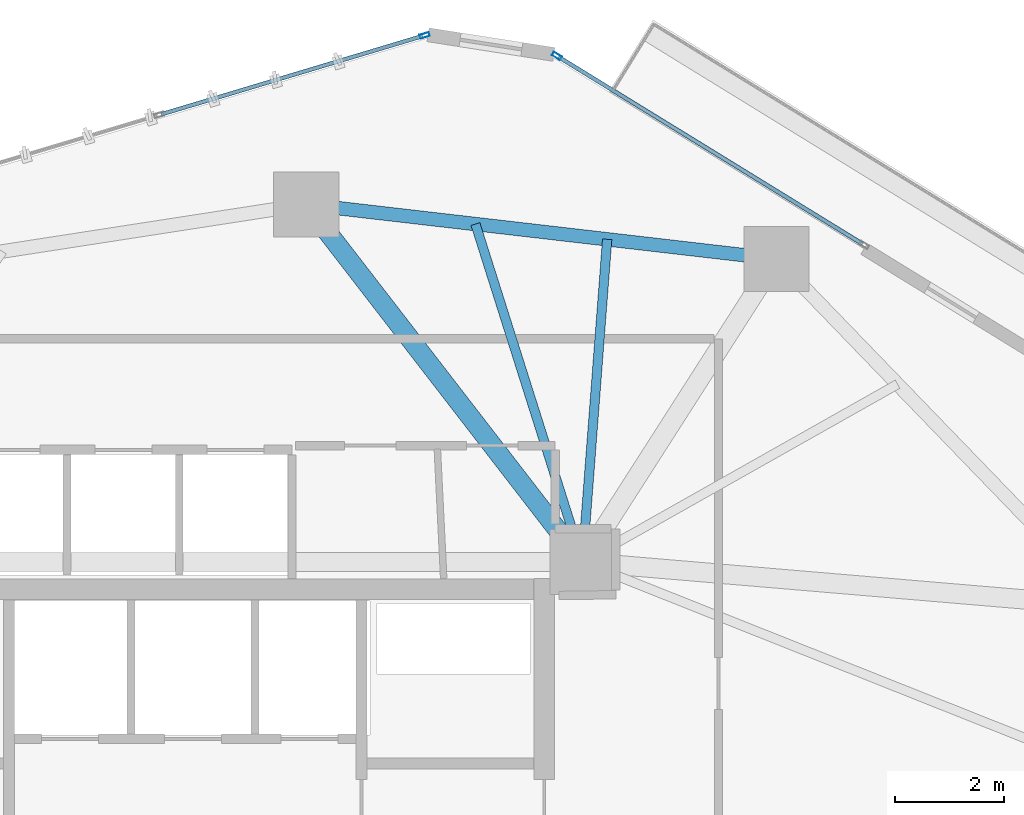
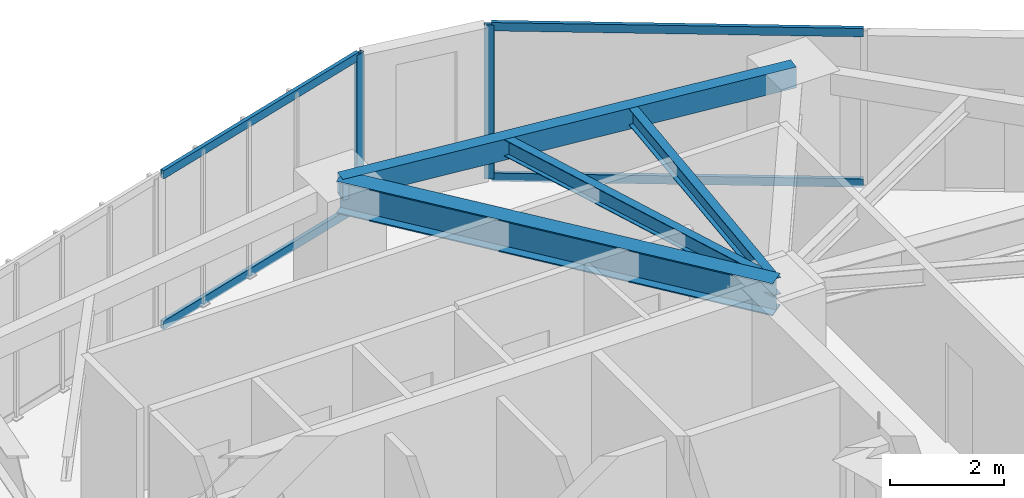
# One storey, part 13 of 21: 6 members, 4 beams, 2 elements without a shape of their own.
"""IFC4 building model written with IfcOpenShell, lengths in metres."""

from ifc_helpers import new_model, si_unit, direction, frame, origin, origin_2d, place, context, subcontext, project, spatial, hollow_rectangle, i_section, extrude, source, transform, mapped, material, layer, layer_set, material_profile, profile_set, type_object, type_shapes, element, aggregate, save


model = new_model("IFC4")

# Units and contexts
model_context = context("Model", 3, precision=1e-05, world=origin(), true_north=direction((0.0, 1.0)))
body_context = subcontext(model_context, "Body", "Model", "MODEL_VIEW")
ifc_project = project(units=[si_unit("LENGTHUNIT", "METRE"), si_unit("AREAUNIT", "SQUARE_METRE"), si_unit("VOLUMEUNIT", "CUBIC_METRE"), si_unit("PLANEANGLEUNIT", "RADIAN"), si_unit("MASSUNIT", "GRAM", prefix="KILO")], contexts=[model_context])

# Site, building, storey
site_placement = place(None, origin())
site = spatial("IfcSite", under=ifc_project, at=site_placement, CompositionType="ELEMENT")
building_placement = place(site_placement, origin())
building = spatial("IfcBuilding", under=site, at=building_placement, Name="Talar Marvaseh", CompositionType="ELEMENT")
storey_placement = place(building_placement, frame((0.0, 0.0, 139.800048828125)))
storey = spatial("IfcBuildingStorey", under=building, at=storey_placement, Name="L36", CompositionType="ELEMENT", Elevation=139.800048828125)

# Beams
ifc_material_1 = material(Name="Steel S355", Category="steel")
ifc_material_profile_1 = material_profile(ifc_material_1, hollow_rectangle(XDim=0.25, YDim=0.449951171875, WallThickness=0.01611328125, at=origin_2d()), Name="RHS450x250x16")
ifc_profile_set_1 = profile_set([ifc_material_profile_1], Name="Steel S355")
beam_type_1 = type_object("IfcBeamType", Name="Zone 2 Perimeter Spandrel Beam RHS450x250x16", PredefinedType="SPANDREL", material=ifc_profile_set_1)
beam_1_placement = place(storey_placement, frame((28.221923828125, 43.471923828125, 3.0849609375), z_axis=(0.993361914569, -0.115030894474, 0.0), x_axis=(0.115030894474, 0.993361914569, 0.0)))
element("IfcBeam", 1, at=beam_1_placement, inside=storey, type_object=beam_type_1, Name="L36 Zone 2 Perimeter Spandrel Beam RHS450x250x16", PredefinedType="SPANDREL", context=body_context, shape_type="SweptSolid", body=[
    extrude(hollow_rectangle(XDim=0.25, YDim=0.449951171875, WallThickness=0.01611328125, at=origin_2d()), origin(), (0.0, 0.0, 1.0), 8.701904296875),
])
ifc_material_profile_2 = material_profile(ifc_material_1, i_section(OverallWidth=0.35498046875, OverallDepth=0.695068359375, WebThickness=0.015380859375, FlangeThickness=0.02490234375, at=origin_2d()), Name="W690x217")
ifc_profile_set_2 = profile_set([ifc_material_profile_2], Name="Steel S355")
beam_type_2 = type_object("IfcBeamType", Name="Zone 2 Radial Floor Girder W690x217", PredefinedType="BEAM", material=ifc_profile_set_2)
beam_2_placement = place(storey_placement, frame((28.221923828125, 43.471923828125, 2.96240234375), z_axis=(0.611428258763, -0.791299870079, 0.0), x_axis=(0.791299870079, 0.611428258763, 0.0)))
element("IfcBeam", 2, at=beam_2_placement, inside=storey, type_object=beam_type_2, Name="L36 Zone 2 Radial Floor Girder W690x217", PredefinedType="BEAM", context=body_context, shape_type="SweptSolid", body=[
    extrude(i_section(OverallWidth=0.35498046875, OverallDepth=0.695068359375, WebThickness=0.015380859375, FlangeThickness=0.02490234375, at=origin_2d()), origin(), (0.0, 0.0, 1.0), 8.305419921875),
])
ifc_material_profile_3 = material_profile(ifc_material_1, i_section(OverallWidth=0.172119140625, OverallDepth=0.35791015625, WebThickness=0.0078125, FlangeThickness=0.01318359375, at=origin_2d()), Name="W360x57")
ifc_profile_set_3 = profile_set([ifc_material_profile_3], Name="Steel S355")
beam_type_3 = type_object("IfcBeamType", Name="Zone 2 Secondary Floor Joist W360x57", PredefinedType="JOIST", material=ifc_profile_set_3)
beam_3_placement = place(storey_placement, frame((31.333740234375, 43.111572265625, 3.130859375), z_axis=(0.301791238044, -0.953374033966, 0.0), x_axis=(0.953374033966, 0.301791238044, 0.0)))
element("IfcBeam", 3, at=beam_3_placement, inside=storey, type_object=beam_type_3, Name="L36 Zone 2 Secondary Floor Joist W360x57", PredefinedType="JOIST", context=body_context, shape_type="SweptSolid", body=[
    extrude(i_section(OverallWidth=0.172119140625, OverallDepth=0.35791015625, WebThickness=0.0078125, FlangeThickness=0.01318359375, at=origin_2d()), origin(), (0.0, 0.0, 1.0), 6.515380859375),
])
beam_4_placement = place(storey_placement, frame((33.754150390625, 42.831298828125, 3.130859375), z_axis=(-0.076335577703, -0.99708218296, 0.0), x_axis=(0.99708218296, -0.076335577703, 0.0)))
element("IfcBeam", 4, at=beam_4_placement, inside=storey, type_object=beam_type_3, Name="L36 Zone 2 Secondary Floor Joist W360x57", PredefinedType="JOIST", context=body_context, shape_type="SweptSolid", body=[
    extrude(i_section(OverallWidth=0.172119140625, OverallDepth=0.35791015625, WebThickness=0.0078125, FlangeThickness=0.01318359375, at=origin_2d()), origin(), (0.0, 0.0, 1.0), 5.94873046875),
])

# Curtain wall, member
ifc_material_2 = material(Name="Architectural Aluminium", Category="aluminium")
ifc_layer = layer(ifc_material_2, 0.199951171875)
ifc_layer_set = layer_set([ifc_layer], Name="Architectural Aluminium")
curtain_wall_type = type_object("IfcCurtainWallType", Name="Unitised Acoustic Library Curtain Wall Z2", PredefinedType="NOTDEFINED", material=ifc_layer_set)
curtain_wall_1_placement = place(storey_placement, origin())
curtain_wall_1 = element("IfcCurtainWall", 5, at=curtain_wall_1_placement, inside=storey, type_object=curtain_wall_type, Name="L36 Unitised Acoustic Library Curtain Wall Z2", PredefinedType="NOTDEFINED")
ifc_material_profile_4 = material_profile(ifc_material_2, hollow_rectangle(XDim=0.074951171875, YDim=0.179931640625, WallThickness=0.0048828125, at=origin_2d()), Name="RHS180x75x5")
ifc_profile_set_4 = profile_set([ifc_material_profile_4], Name="Architectural Aluminium")
member_type_1 = type_object("IfcMemberType", Name="Unitised Curtain Wall Standard Mullion RHS180x75x5", PredefinedType="MULLION", material=ifc_profile_set_4)
shared_shape_1 = source(origin(), body_context, "Body", "SweptSolid", [
    extrude(hollow_rectangle(XDim=0.074951171875, YDim=0.179931640625, WallThickness=0.0048828125, at=origin_2d()), origin(), (0.0, 0.0, 1.0), 3.31005859375),
])
type_shapes(member_type_1, [shared_shape_1])
member_1_placement = place(storey_placement, frame((30.39990234375, 46.578125, 0.0), z_axis=(0.0, 0.0, 1.0), x_axis=(-0.287060544497, 0.957912440567, 0.0)))
member_1 = element("IfcMember", 6, at=member_1_placement, type_object=member_type_1, Name="CW-Z2 mullion 4", PredefinedType="MULLION", context=body_context, shape_type="MappedRepresentation", body=[
    mapped(shared_shape_1, transform((0.0, 0.0, 0.0), x_axis=(1.0, 0.0, 0.0), y_axis=(0.0, 1.0, 0.0), z_axis=(0.0, 0.0, 1.0), scale=1.0)),
])

curtain_wall_2_placement = place(storey_placement, origin())
curtain_wall_2 = element("IfcCurtainWall", 7, at=curtain_wall_2_placement, inside=storey, type_object=curtain_wall_type, Name="L36 Unitised Acoustic Library Curtain Wall Z2", PredefinedType="NOTDEFINED")
member_2_placement = place(storey_placement, frame((32.8291015625, 46.20166015625, 0.0), z_axis=(0.0, 0.0, 1.0), x_axis=(0.523930983177, 0.85176072043, 0.0)))
member_2 = element("IfcMember", 8, at=member_2_placement, type_object=member_type_1, Name="CW-Z2 mullion 1", PredefinedType="MULLION", context=body_context, shape_type="MappedRepresentation", body=[
    mapped(shared_shape_1, transform((0.0, 0.0, 0.0), x_axis=(1.0, 0.0, 0.0), y_axis=(0.0, 1.0, 0.0), z_axis=(0.0, 0.0, 1.0), scale=1.0)),
])

# Member
ifc_material_profile_5 = material_profile(ifc_material_2, hollow_rectangle(XDim=0.074951171875, YDim=0.179931640625, WallThickness=0.0048828125, at=origin_2d()), Name="RHS180x75x5")
ifc_profile_set_5 = profile_set([ifc_material_profile_5], Name="Architectural Aluminium")
member_type_2 = type_object("IfcMemberType", Name="Unitised Curtain Wall Transom RHS180x75x5", PredefinedType="USERDEFINED", material=ifc_profile_set_5)
shared_shape_2 = source(origin(), body_context, "Body", "SweptSolid", [
    extrude(hollow_rectangle(XDim=0.074951171875, YDim=0.179931640625, WallThickness=0.0048828125, at=origin_2d()), origin(), (0.0, 0.0, 1.0), 5.017578125),
])
member_3_placement = place(storey_placement, frame((25.5576171875, 45.127197265625, 0.037353515625), z_axis=(0.957921315898, 0.287030926118, 0.0), x_axis=(-0.287030926118, 0.957921315898, 0.0)))
member_3 = element("IfcMember", 9, at=member_3_placement, type_object=member_type_2, Name="CW-Z2 transom 3.1", ObjectType="TRANSOM", PredefinedType="USERDEFINED", context=body_context, shape_type="MappedRepresentation", body=[
    mapped(shared_shape_2, transform((0.0, 0.0, 0.0), x_axis=(1.0, 0.0, 0.0), y_axis=(0.0, 1.0, 0.0), z_axis=(0.0, 0.0, 1.0), scale=1.0)),
])

member_4_placement = place(storey_placement, frame((25.5576171875, 45.127197265625, 3.2724609375), z_axis=(0.957921315898, 0.287030926118, 0.0), x_axis=(-0.287030926118, 0.957921315898, 0.0)))
member_4 = element("IfcMember", 10, at=member_4_placement, type_object=member_type_2, Name="CW-Z2 transom 3.2", ObjectType="TRANSOM", PredefinedType="USERDEFINED", context=body_context, shape_type="MappedRepresentation", body=[
    mapped(shared_shape_2, transform((0.0, 0.0, 0.0), x_axis=(1.0, 0.0, 0.0), y_axis=(0.0, 1.0, 0.0), z_axis=(0.0, 0.0, 1.0), scale=1.0)),
])

aggregate(curtain_wall_1, [member_1, member_3, member_4])

shared_shape_3 = source(origin(), body_context, "Body", "SweptSolid", [
    extrude(hollow_rectangle(XDim=0.074951171875, YDim=0.179931640625, WallThickness=0.0048828125, at=origin_2d()), origin(), (0.0, 0.0, 1.0), 6.5546875),
])
type_shapes(member_type_2, [shared_shape_2, shared_shape_3])
member_5_placement = place(storey_placement, frame((32.861083984375, 46.18212890625, 0.037353515625), z_axis=(0.851751659085, -0.523945714026, 0.0), x_axis=(0.523945714026, 0.851751659085, 0.0)))
member_5 = element("IfcMember", 11, at=member_5_placement, type_object=member_type_2, Name="CW-Z2 transom 1.1", ObjectType="TRANSOM", PredefinedType="USERDEFINED", context=body_context, shape_type="MappedRepresentation", body=[
    mapped(shared_shape_3, transform((0.0, 0.0, 0.0), x_axis=(1.0, 0.0, 0.0), y_axis=(0.0, 1.0, 0.0), z_axis=(0.0, 0.0, 1.0), scale=1.0)),
])

member_6_placement = place(storey_placement, frame((32.861083984375, 46.18212890625, 3.2724609375), z_axis=(0.851751659085, -0.523945714026, 0.0), x_axis=(0.523945714026, 0.851751659085, 0.0)))
member_6 = element("IfcMember", 12, at=member_6_placement, type_object=member_type_2, Name="CW-Z2 transom 1.2", ObjectType="TRANSOM", PredefinedType="USERDEFINED", context=body_context, shape_type="MappedRepresentation", body=[
    mapped(shared_shape_3, transform((0.0, 0.0, 0.0), x_axis=(1.0, 0.0, 0.0), y_axis=(0.0, 1.0, 0.0), z_axis=(0.0, 0.0, 1.0), scale=1.0)),
])

aggregate(curtain_wall_2, [member_2, member_5, member_6])

save(model, "model.ifc")
